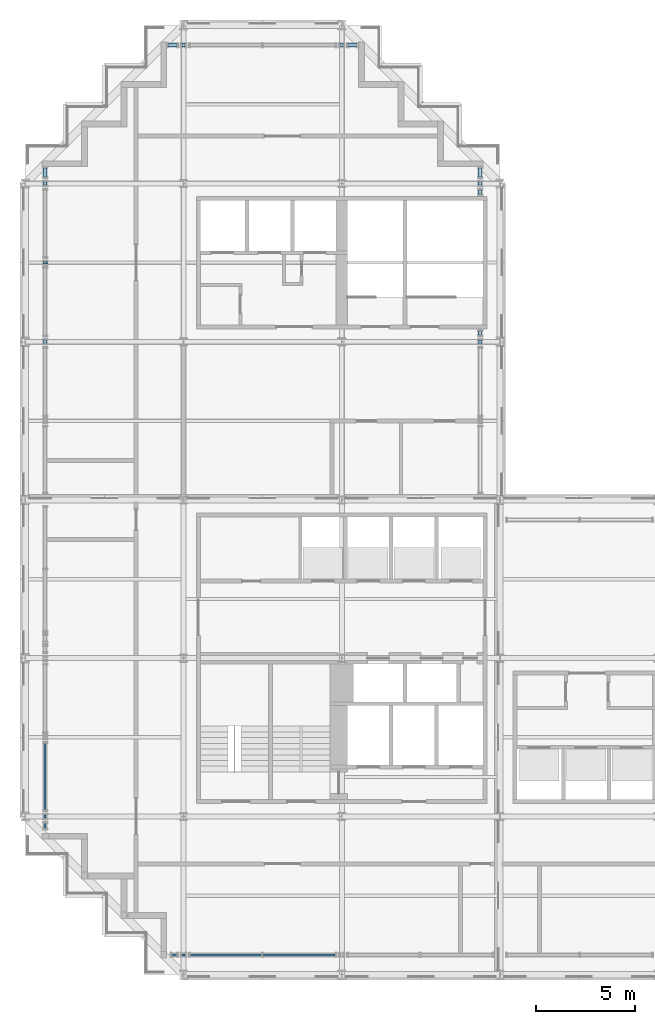
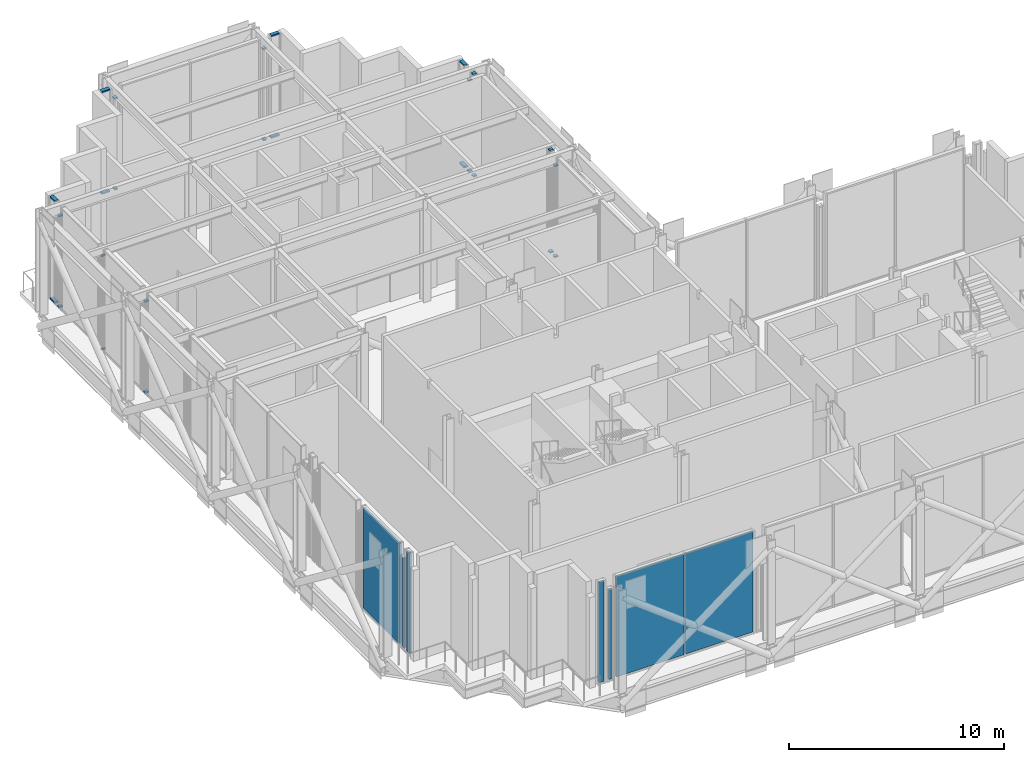
# One storey, part 9 of 23: 26 members, 7 plates, 19 elements without a shape of their own.
"""IFC4 building model written with IfcOpenShell, lengths in metres."""

import ifcopenshell
import ifcopenshell.guid

model = None  # the IFC model being written
_history = None  # IfcOwnerHistory: only IFC2X3 demands one
_inside = {}  # id of a spatial element -> (the spatial element, [elements in it])
_under = {}  # id of a project, library or spatial element -> (it, [spatial elements below it])
_declared = {}  # id of a project -> (the project, [libraries it declares])
_typed = {}  # id of a type object -> (the type object, [elements of that type])
_made_of = {}  # id of a material, layer set ... -> (it, [elements and type objects made of it])


def new_model(schema):
    """Start an empty IFC model of exactly this schema.

    Asked for "IFC4X3", IfcOpenShell would pick the latest addendum, in which some entities
    have other attributes; the version numbers below select the first issue.
    IFC2X3 requires an IfcOwnerHistory on every rooted entity: one is made here for all.
    """
    global model, _history
    if schema == "IFC4X3":
        model = ifcopenshell.file(schema_version=(4, 3, 0, 0))
    else:
        model = ifcopenshell.file(schema=schema)
    _inside.clear()
    _under.clear()
    _declared.clear()
    _typed.clear()
    _made_of.clear()
    _history = None
    if model.schema == "IFC2X3":
        org = make("IfcOrganization", Name="unknown")
        user = make(
            "IfcPersonAndOrganization",
            ThePerson=make("IfcPerson", FamilyName="unknown"),
            TheOrganization=org,
        )
        app = make(
            "IfcApplication",
            ApplicationDeveloper=org,
            Version="unknown",
            ApplicationFullName="unknown",
            ApplicationIdentifier="unknown",
        )
        _history = make(
            "IfcOwnerHistory",
            OwningUser=user,
            OwningApplication=app,
            ChangeAction="ADDED",
            CreationDate=0,
        )
    return model


def make(cls, **values):
    """One entity of the class cls with the attributes given. An attribute that is None is left unset."""
    return model.create_entity(
        cls, **{name: value for name, value in values.items() if value is not None}
    )


def rooted(cls, **values):
    """An entity with a GlobalId (a new one), such as an element, a storey or a relation."""
    return make(cls, GlobalId=ifcopenshell.guid.new(), OwnerHistory=_history, **values)


def si_unit(unit_type, name, prefix=None):
    """IfcSIUnit, for example si_unit("LENGTHUNIT", "METRE", prefix="MILLI")."""
    return make("IfcSIUnit", UnitType=unit_type, Prefix=prefix, Name=name)


def assignment(units):
    """IfcUnitAssignment: the units of a project."""
    return None if units is None else make("IfcUnitAssignment", Units=units)


def point(xyz):
    """IfcCartesianPoint."""
    return None if xyz is None else make("IfcCartesianPoint", Coordinates=xyz)


def direction(xyz):
    """IfcDirection."""
    return None if xyz is None else make("IfcDirection", DirectionRatios=xyz)


def frame(location, z_axis=None, x_axis=None):
    """IfcAxis2Placement3D, a coordinate frame: its origin and axes. An axis left out is left unset."""
    return make(
        "IfcAxis2Placement3D",
        Location=point(location),
        Axis=direction(z_axis),
        RefDirection=direction(x_axis),
    )


def frame_2d(location, x_axis=None):
    """IfcAxis2Placement2D, a coordinate frame in the plane: its origin and x axis."""
    return make(
        "IfcAxis2Placement2D", Location=point(location), RefDirection=direction(x_axis)
    )


def origin():
    """The frame at (0, 0, 0) with its axes left unset."""
    return frame((0.0, 0.0, 0.0))


def origin_2d():
    """The frame at (0, 0) in the plane with its x axis left unset."""
    return frame_2d((0.0, 0.0))


def place(relative_to, where):
    """IfcLocalPlacement: puts the frame where relative to a parent placement (None: the world)."""
    return make(
        "IfcLocalPlacement", PlacementRelTo=relative_to, RelativePlacement=where
    )


def context(
    kind, dimensions, precision=None, world=None, true_north=None, identifier=None
):
    """IfcGeometricRepresentationContext, for example the 3D "Model" context."""
    return make(
        "IfcGeometricRepresentationContext",
        ContextIdentifier=identifier,
        ContextType=kind,
        CoordinateSpaceDimension=dimensions,
        Precision=precision,
        WorldCoordinateSystem=world,
        TrueNorth=true_north,
    )


def subcontext(parent, identifier, kind, view, scale=None):
    """IfcGeometricRepresentationSubContext, for example "Body" below "Model"."""
    return make(
        "IfcGeometricRepresentationSubContext",
        ContextIdentifier=identifier,
        ContextType=kind,
        ParentContext=parent,
        TargetScale=scale,
        TargetView=view,
    )


def project(units=None, contexts=None):
    """IfcProject with its units and contexts."""
    return rooted(
        "IfcProject",
        Name="project",
        RepresentationContexts=contexts,
        UnitsInContext=assignment(units),
    )


def spatial(cls, under=None, at=None, **own):
    """A site, building, storey or space (cls), placed at a placement, below another one or the project."""
    s = rooted(cls, ObjectPlacement=at, **own)
    if under is not None:
        _under.setdefault(under.id(), (under, []))[1].append(s)
    return s


def profile(cls, at=None, kind="AREA", **sizes):
    """A parametric profile (cls). Its sizes go by their IFC names, for example OverallWidth=200.0."""
    return make(cls, ProfileType=kind, Position=at, **sizes)


def rectangle(**sizes):
    """IfcRectangleProfileDef."""
    return profile("IfcRectangleProfileDef", **sizes)


def extrude(swept, where, along, depth):
    """IfcExtrudedAreaSolid: the profile swept, set in the frame where, extruded along a direction by depth."""
    return make(
        "IfcExtrudedAreaSolid",
        SweptArea=swept,
        Position=where,
        ExtrudedDirection=direction(along),
        Depth=depth,
    )


def shape(context_of_items, identifier, shape_type, items):
    """IfcShapeRepresentation: the items that make up one representation, for example the "Body"."""
    return make(
        "IfcShapeRepresentation",
        ContextOfItems=context_of_items,
        RepresentationIdentifier=identifier,
        RepresentationType=shape_type,
        Items=items,
    )


def material(Name=None, Category=None):
    """IfcMaterial."""
    return make("IfcMaterial", Name=Name, Category=Category)


def layer(
    of_material, thickness, ventilated=None, Name=None, Category=None, Priority=None
):
    """IfcMaterialLayer: one layer of a wall or slab, of a material (None: an air gap)."""
    return make(
        "IfcMaterialLayer",
        Material=of_material,
        LayerThickness=thickness,
        IsVentilated=ventilated,
        Name=Name,
        Category=Category,
        Priority=Priority,
    )


def layer_set(layers, Name=None):
    """IfcMaterialLayerSet."""
    return make("IfcMaterialLayerSet", MaterialLayers=layers, LayerSetName=Name)


def material_profile(
    of_material, cross_section, Name=None, Category=None, Priority=None
):
    """IfcMaterialProfile: a cross section and its material."""
    return make(
        "IfcMaterialProfile",
        Name=Name,
        Material=of_material,
        Profile=cross_section,
        Priority=Priority,
        Category=Category,
    )


def profile_set(profiles, Name=None, composite=None):
    """IfcMaterialProfileSet."""
    return make(
        "IfcMaterialProfileSet",
        Name=Name,
        MaterialProfiles=profiles,
        CompositeProfile=composite,
    )


def made_of(thing, what):
    """Note that an element or type object is made of a material, layer set ...; save() writes the relation."""
    if what is not None:
        _made_of.setdefault(what.id(), (what, []))[1].append(thing)
    return thing


def type_object(cls, material=None, **own):
    """A type object (cls), such as IfcWallType, which elements share."""
    return made_of(rooted(cls, **own), material)


def element(
    cls,
    number,
    at=None,
    inside=None,
    cuts=None,
    type_object=None,
    material=None,
    context=None,
    identifier="Body",
    shape_type=None,
    held_by="IfcProductDefinitionShape",
    body=None,
    shapes=None,
    **own,
):
    """One element of the class cls, such as IfcWall. Its Tag is "e" and its number.

    at: its placement. inside: the storey or other place that contains it. cuts: it is an
    opening in that element (IfcRelVoidsElement). A single representation is given by context,
    identifier, shape_type and body (its items); several are given by shapes. held_by: the class
    of the entity that holds the representations. save() writes the other relations.
    """
    e = rooted(cls, Tag="e%d" % number, ObjectPlacement=at, **own)
    if body is not None:
        shapes = [shape(context, identifier, shape_type, body)]
    if shapes is not None:
        e.Representation = make(held_by, Representations=shapes)
    if inside is not None:
        _inside.setdefault(inside.id(), (inside, []))[1].append(e)
    if cuts is not None:
        rooted(
            "IfcRelVoidsElement", RelatingBuildingElement=cuts, RelatedOpeningElement=e
        )
    if type_object is not None:
        _typed.setdefault(type_object.id(), (type_object, []))[1].append(e)
    return made_of(e, material)


def aggregate(whole, parts):
    """IfcRelAggregates: a whole, such as a stair, and the parts it consists of."""
    return rooted("IfcRelAggregates", RelatingObject=whole, RelatedObjects=parts)


def save(model, path):
    """Write the relations noted so far, then the file.

    IfcRelAggregates (storeys below a building ...), IfcRelContainedInSpatialStructure (elements
    in a storey), IfcRelDefinesByType, IfcRelAssociatesMaterial and IfcRelDeclares: one each for
    every whole, place, type object, material and project.
    """
    for whole, parts in _under.values():
        aggregate(whole, parts)
    for where, things in _inside.values():
        rooted(
            "IfcRelContainedInSpatialStructure",
            RelatedElements=things,
            RelatingStructure=where,
        )
    for kind, things in _typed.values():
        rooted("IfcRelDefinesByType", RelatedObjects=things, RelatingType=kind)
    for what, things in _made_of.values():
        rooted("IfcRelAssociatesMaterial", RelatedObjects=things, RelatingMaterial=what)
    for by, libraries in _declared.values():
        rooted("IfcRelDeclares", RelatingContext=by, RelatedDefinitions=libraries)
    model.write(path)


model = new_model("IFC4")

# Units and contexts
model_context = context("Model", 3, precision=1e-05, world=origin(), true_north=direction((0.0, 1.0)))
body_context = subcontext(model_context, "Body", "Model", "MODEL_VIEW")
ifc_project = project(units=[si_unit("LENGTHUNIT", "METRE"), si_unit("AREAUNIT", "SQUARE_METRE"), si_unit("VOLUMEUNIT", "CUBIC_METRE"), si_unit("PLANEANGLEUNIT", "RADIAN"), si_unit("MASSUNIT", "GRAM", prefix="KILO")], contexts=[model_context])

# Site, building, storey
site_placement = place(None, origin())
site = spatial("IfcSite", under=ifc_project, at=site_placement, CompositionType="ELEMENT")
building_placement = place(site_placement, origin())
building = spatial("IfcBuilding", under=site, at=building_placement, Name="Immortelle Media Tower", CompositionType="ELEMENT")
storey_placement = place(building_placement, frame((0.0, 0.0, 183.0)))
storey = spatial("IfcBuildingStorey", under=building, at=storey_placement, Name="L38", CompositionType="ELEMENT", Elevation=183.0)

# Curtain wall, members
ifc_material_1 = material(Name="Aluminium curtain wall system", Category="aluminium")
curtain_wall_type = type_object("IfcCurtainWallType", Name="Plant louvre wall curtain wall", PredefinedType="NOTDEFINED", material=ifc_material_1)
curtain_wall_1_placement = place(storey_placement, origin())
curtain_wall_1 = element("IfcCurtainWall", 1, at=curtain_wall_1_placement, inside=storey, type_object=curtain_wall_type, Name="Plant louvre wall L38 E 22-5", PredefinedType="NOTDEFINED")
ifc_material_2 = material(Name="Aluminium 6063-T6", Category="aluminium")
ifc_material_profile = material_profile(ifc_material_2, rectangle(XDim=0.199951171875, YDim=0.080078125, at=origin_2d()), Name="AL 80x200")
ifc_profile_set = profile_set([ifc_material_profile], Name="Aluminium 6063-T6")
member_type = type_object("IfcMemberType", Name="Plant louvre wall transom 80 x 200", PredefinedType="USERDEFINED", material=ifc_profile_set)
member_1_placement = place(storey_placement, frame((23.0, 31.916015625, 0.0400390625), z_axis=(0.0, 1.0, 0.0), x_axis=(-1.0, 0.0, 0.0)))
member_1 = element("IfcMember", 2, at=member_1_placement, type_object=member_type, Name="CW6 transom 1.1", ObjectType="TRANSOM", PredefinedType="USERDEFINED", context=body_context, shape_type="SweptSolid", body=[
    extrude(rectangle(XDim=0.199951171875, YDim=0.080078125, at=origin_2d()), origin(), (0.0, 0.0, 1.0), 0.16796875),
])
member_2_placement = place(storey_placement, frame((23.0, 31.916015625, 5.20751953125), z_axis=(0.0, 1.0, 0.0), x_axis=(-1.0, 0.0, 0.0)))
member_2 = element("IfcMember", 3, at=member_2_placement, type_object=member_type, Name="CW6 transom 1.2", ObjectType="TRANSOM", PredefinedType="USERDEFINED", context=body_context, shape_type="SweptSolid", body=[
    extrude(rectangle(XDim=0.199951171875, YDim=0.080078125, at=origin_2d()), origin(), (0.0, 0.0, 1.0), 0.16796875),
])
aggregate(curtain_wall_1, [member_1, member_2])

curtain_wall_2_placement = place(storey_placement, origin())
curtain_wall_2 = element("IfcCurtainWall", 4, at=curtain_wall_2_placement, inside=storey, type_object=curtain_wall_type, Name="Plant louvre wall L38 E 22-6", PredefinedType="NOTDEFINED")
member_3_placement = place(storey_placement, frame((23.0, 32.333984375, 0.0400390625), z_axis=(0.0, 1.0, 0.0), x_axis=(-1.0, 0.0, 0.0)))
member_3 = element("IfcMember", 5, at=member_3_placement, type_object=member_type, Name="CW6 transom 1.1", ObjectType="TRANSOM", PredefinedType="USERDEFINED", context=body_context, shape_type="SweptSolid", body=[
    extrude(rectangle(XDim=0.199951171875, YDim=0.080078125, at=origin_2d()), origin(), (0.0, 0.0, 1.0), 0.196533203125),
])
member_4_placement = place(storey_placement, frame((23.0, 32.333984375, 5.8095703125), z_axis=(0.0, 1.0, 0.0), x_axis=(-1.0, 0.0, 0.0)))
member_4 = element("IfcMember", 6, at=member_4_placement, type_object=member_type, Name="CW6 transom 1.2", ObjectType="TRANSOM", PredefinedType="USERDEFINED", context=body_context, shape_type="SweptSolid", body=[
    extrude(rectangle(XDim=0.199951171875, YDim=0.080078125, at=origin_2d()), origin(), (0.0, 0.0, 1.0), 0.196533203125),
])
aggregate(curtain_wall_2, [member_3, member_4])

curtain_wall_3_placement = place(storey_placement, origin())
curtain_wall_3 = element("IfcCurtainWall", 7, at=curtain_wall_3_placement, inside=storey, type_object=curtain_wall_type, Name="Plant louvre wall L38 E 22-7", PredefinedType="NOTDEFINED")
member_5_placement = place(storey_placement, frame((23.0, 39.469482421875, 0.0400390625), z_axis=(0.0, 1.0, 0.0), x_axis=(-1.0, 0.0, 0.0)))
member_5 = element("IfcMember", 8, at=member_5_placement, type_object=member_type, Name="CW6 transom 1.1", ObjectType="TRANSOM", PredefinedType="USERDEFINED", context=body_context, shape_type="SweptSolid", body=[
    extrude(rectangle(XDim=0.199951171875, YDim=0.080078125, at=origin_2d()), origin(), (0.0, 0.0, 1.0), 0.196533203125),
])
member_6_placement = place(storey_placement, frame((23.0, 39.469482421875, 5.8095703125), z_axis=(0.0, 1.0, 0.0), x_axis=(-1.0, 0.0, 0.0)))
member_6 = element("IfcMember", 9, at=member_6_placement, type_object=member_type, Name="CW6 transom 1.2", ObjectType="TRANSOM", PredefinedType="USERDEFINED", context=body_context, shape_type="SweptSolid", body=[
    extrude(rectangle(XDim=0.199951171875, YDim=0.080078125, at=origin_2d()), origin(), (0.0, 0.0, 1.0), 0.196533203125),
])
aggregate(curtain_wall_3, [member_5, member_6])

curtain_wall_4_placement = place(storey_placement, origin())
curtain_wall_4 = element("IfcCurtainWall", 10, at=curtain_wall_4_placement, inside=storey, type_object=curtain_wall_type, Name="Plant louvre wall L38 E 22-8", PredefinedType="NOTDEFINED")
member_7_placement = place(storey_placement, frame((23.0, 39.916015625, 0.0400390625), z_axis=(0.0, 1.0, 0.0), x_axis=(-1.0, 0.0, 0.0)))
member_7 = element("IfcMember", 11, at=member_7_placement, type_object=member_type, Name="CW6 transom 1.1", ObjectType="TRANSOM", PredefinedType="USERDEFINED", context=body_context, shape_type="SweptSolid", body=[
    extrude(rectangle(XDim=0.199951171875, YDim=0.080078125, at=origin_2d()), origin(), (0.0, 0.0, 1.0), 0.16796875),
])
member_8_placement = place(storey_placement, frame((23.0, 39.916015625, 5.20751953125), z_axis=(0.0, 1.0, 0.0), x_axis=(-1.0, 0.0, 0.0)))
member_8 = element("IfcMember", 12, at=member_8_placement, type_object=member_type, Name="CW6 transom 1.2", ObjectType="TRANSOM", PredefinedType="USERDEFINED", context=body_context, shape_type="SweptSolid", body=[
    extrude(rectangle(XDim=0.199951171875, YDim=0.080078125, at=origin_2d()), origin(), (0.0, 0.0, 1.0), 0.16796875),
])
aggregate(curtain_wall_4, [member_7, member_8])

curtain_wall_5_placement = place(storey_placement, origin())
curtain_wall_5 = element("IfcCurtainWall", 13, at=curtain_wall_5_placement, inside=storey, type_object=curtain_wall_type, Name="Plant louvre wall L38 E 22-9", PredefinedType="NOTDEFINED")
member_9_placement = place(storey_placement, frame((23.0, 40.333984375, 0.0400390625), z_axis=(0.0, 1.0, 0.0), x_axis=(-1.0, 0.0, 0.0)))
member_9 = element("IfcMember", 14, at=member_9_placement, type_object=member_type, Name="CW6 transom 1.1", ObjectType="TRANSOM", PredefinedType="USERDEFINED", context=body_context, shape_type="SweptSolid", body=[
    extrude(rectangle(XDim=0.199951171875, YDim=0.080078125, at=origin_2d()), origin(), (0.0, 0.0, 1.0), 0.43603515625),
])
member_10_placement = place(storey_placement, frame((23.0, 40.333984375, 5.8095703125), z_axis=(0.0, 1.0, 0.0), x_axis=(-1.0, 0.0, 0.0)))
member_10 = element("IfcMember", 15, at=member_10_placement, type_object=member_type, Name="CW6 transom 1.2", ObjectType="TRANSOM", PredefinedType="USERDEFINED", context=body_context, shape_type="SweptSolid", body=[
    extrude(rectangle(XDim=0.199951171875, YDim=0.080078125, at=origin_2d()), origin(), (0.0, 0.0, 1.0), 0.43603515625),
])
aggregate(curtain_wall_5, [member_9, member_10])

curtain_wall_6_placement = place(storey_placement, origin())
curtain_wall_6 = element("IfcCurtainWall", 16, at=curtain_wall_6_placement, inside=storey, type_object=curtain_wall_type, Name="Plant louvre wall L38 N 29-1", PredefinedType="NOTDEFINED")
member_11_placement = place(storey_placement, frame((16.77001953125, 47.0, 0.0400390625), z_axis=(-1.0, 0.0, 0.0), x_axis=(0.0, -1.0, 0.0)))
member_11 = element("IfcMember", 17, at=member_11_placement, type_object=member_type, Name="CW6 transom 1.1", ObjectType="TRANSOM", PredefinedType="USERDEFINED", context=body_context, shape_type="SweptSolid", body=[
    extrude(rectangle(XDim=0.199951171875, YDim=0.080078125, at=origin_2d()), origin(), (0.0, 0.0, 1.0), 0.43603515625),
])
member_12_placement = place(storey_placement, frame((16.77001953125, 47.0, 5.8095703125), z_axis=(-1.0, 0.0, 0.0), x_axis=(0.0, -1.0, 0.0)))
member_12 = element("IfcMember", 18, at=member_12_placement, type_object=member_type, Name="CW6 transom 1.2", ObjectType="TRANSOM", PredefinedType="USERDEFINED", context=body_context, shape_type="SweptSolid", body=[
    extrude(rectangle(XDim=0.199951171875, YDim=0.080078125, at=origin_2d()), origin(), (0.0, 0.0, 1.0), 0.43603515625),
])
aggregate(curtain_wall_6, [member_11, member_12])

curtain_wall_7_placement = place(storey_placement, origin())
curtain_wall_7 = element("IfcCurtainWall", 19, at=curtain_wall_7_placement, inside=storey, type_object=curtain_wall_type, Name="Plant louvre wall L38 N 29-2", PredefinedType="NOTDEFINED")
member_13_placement = place(storey_placement, frame((16.083984375, 47.0, 0.0400390625), z_axis=(-1.0, 0.0, 0.0), x_axis=(0.0, -1.0, 0.0)))
member_13 = element("IfcMember", 20, at=member_13_placement, type_object=member_type, Name="CW6 transom 1.1", ObjectType="TRANSOM", PredefinedType="USERDEFINED", context=body_context, shape_type="SweptSolid", body=[
    extrude(rectangle(XDim=0.199951171875, YDim=0.080078125, at=origin_2d()), origin(), (0.0, 0.0, 1.0), 0.16796875),
])
member_14_placement = place(storey_placement, frame((16.083984375, 47.0, 5.20751953125), z_axis=(-1.0, 0.0, 0.0), x_axis=(0.0, -1.0, 0.0)))
member_14 = element("IfcMember", 21, at=member_14_placement, type_object=member_type, Name="CW6 transom 1.2", ObjectType="TRANSOM", PredefinedType="USERDEFINED", context=body_context, shape_type="SweptSolid", body=[
    extrude(rectangle(XDim=0.199951171875, YDim=0.080078125, at=origin_2d()), origin(), (0.0, 0.0, 1.0), 0.16796875),
])
aggregate(curtain_wall_7, [member_13, member_14])

curtain_wall_8_placement = place(storey_placement, origin())
curtain_wall_8 = element("IfcCurtainWall", 22, at=curtain_wall_8_placement, inside=storey, type_object=curtain_wall_type, Name="Plant louvre wall L38 N 29-4", PredefinedType="NOTDEFINED")
member_15_placement = place(storey_placement, frame((8.083984375, 47.0, 0.0400390625), z_axis=(-1.0, 0.0, 0.0), x_axis=(0.0, -1.0, 0.0)))
member_15 = element("IfcMember", 23, at=member_15_placement, type_object=member_type, Name="CW6 transom 1.1", ObjectType="TRANSOM", PredefinedType="USERDEFINED", context=body_context, shape_type="SweptSolid", body=[
    extrude(rectangle(XDim=0.199951171875, YDim=0.080078125, at=origin_2d()), origin(), (0.0, 0.0, 1.0), 0.16796875),
])
member_16_placement = place(storey_placement, frame((8.083984375, 47.0, 5.20751953125), z_axis=(-1.0, 0.0, 0.0), x_axis=(0.0, -1.0, 0.0)))
member_16 = element("IfcMember", 24, at=member_16_placement, type_object=member_type, Name="CW6 transom 1.2", ObjectType="TRANSOM", PredefinedType="USERDEFINED", context=body_context, shape_type="SweptSolid", body=[
    extrude(rectangle(XDim=0.199951171875, YDim=0.080078125, at=origin_2d()), origin(), (0.0, 0.0, 1.0), 0.16796875),
])
aggregate(curtain_wall_8, [member_15, member_16])

curtain_wall_9_placement = place(storey_placement, origin())
curtain_wall_9 = element("IfcCurtainWall", 25, at=curtain_wall_9_placement, inside=storey, type_object=curtain_wall_type, Name="Plant louvre wall L38 N 29-5", PredefinedType="NOTDEFINED")
member_17_placement = place(storey_placement, frame((7.666015625, 47.0, 0.0400390625), z_axis=(-1.0, 0.0, 0.0), x_axis=(0.0, -1.0, 0.0)))
member_17 = element("IfcMember", 26, at=member_17_placement, type_object=member_type, Name="CW6 transom 1.1", ObjectType="TRANSOM", PredefinedType="USERDEFINED", context=body_context, shape_type="SweptSolid", body=[
    extrude(rectangle(XDim=0.199951171875, YDim=0.080078125, at=origin_2d()), origin(), (0.0, 0.0, 1.0), 0.43603515625),
])
member_18_placement = place(storey_placement, frame((7.666015625, 47.0, 5.8095703125), z_axis=(-1.0, 0.0, 0.0), x_axis=(0.0, -1.0, 0.0)))
member_18 = element("IfcMember", 27, at=member_18_placement, type_object=member_type, Name="CW6 transom 1.2", ObjectType="TRANSOM", PredefinedType="USERDEFINED", context=body_context, shape_type="SweptSolid", body=[
    extrude(rectangle(XDim=0.199951171875, YDim=0.080078125, at=origin_2d()), origin(), (0.0, 0.0, 1.0), 0.43603515625),
])
aggregate(curtain_wall_9, [member_17, member_18])

curtain_wall_10_placement = place(storey_placement, origin())
curtain_wall_10 = element("IfcCurtainWall", 28, at=curtain_wall_10_placement, inside=storey, type_object=curtain_wall_type, Name="Plant louvre wall L38 W 36-1", PredefinedType="NOTDEFINED")
member_19_placement = place(storey_placement, frame((1.0, 40.77001953125, 0.0400390625), z_axis=(0.0, -1.0, 0.0), x_axis=(1.0, 0.0, 0.0)))
member_19 = element("IfcMember", 29, at=member_19_placement, type_object=member_type, Name="CW6 transom 1.1", ObjectType="TRANSOM", PredefinedType="USERDEFINED", context=body_context, shape_type="SweptSolid", body=[
    extrude(rectangle(XDim=0.199951171875, YDim=0.080078125, at=origin_2d()), origin(), (0.0, 0.0, 1.0), 0.43603515625),
])
member_20_placement = place(storey_placement, frame((1.0, 40.77001953125, 5.8095703125), z_axis=(0.0, -1.0, 0.0), x_axis=(1.0, 0.0, 0.0)))
member_20 = element("IfcMember", 30, at=member_20_placement, type_object=member_type, Name="CW6 transom 1.2", ObjectType="TRANSOM", PredefinedType="USERDEFINED", context=body_context, shape_type="SweptSolid", body=[
    extrude(rectangle(XDim=0.199951171875, YDim=0.080078125, at=origin_2d()), origin(), (0.0, 0.0, 1.0), 0.43603515625),
])
aggregate(curtain_wall_10, [member_19, member_20])

curtain_wall_11_placement = place(storey_placement, origin())
curtain_wall_11 = element("IfcCurtainWall", 31, at=curtain_wall_11_placement, inside=storey, type_object=curtain_wall_type, Name="Plant louvre wall L38 W 36-2", PredefinedType="NOTDEFINED")
member_21_placement = place(storey_placement, frame((1.0, 40.083984375, 0.0400390625), z_axis=(0.0, -1.0, 0.0), x_axis=(1.0, 0.0, 0.0)))
member_21 = element("IfcMember", 32, at=member_21_placement, type_object=member_type, Name="CW6 transom 1.1", ObjectType="TRANSOM", PredefinedType="USERDEFINED", context=body_context, shape_type="SweptSolid", body=[
    extrude(rectangle(XDim=0.199951171875, YDim=0.080078125, at=origin_2d()), origin(), (0.0, 0.0, 1.0), 0.16796875),
])
member_22_placement = place(storey_placement, frame((1.0, 40.083984375, 5.20751953125), z_axis=(0.0, -1.0, 0.0), x_axis=(1.0, 0.0, 0.0)))
member_22 = element("IfcMember", 33, at=member_22_placement, type_object=member_type, Name="CW6 transom 1.2", ObjectType="TRANSOM", PredefinedType="USERDEFINED", context=body_context, shape_type="SweptSolid", body=[
    extrude(rectangle(XDim=0.199951171875, YDim=0.080078125, at=origin_2d()), origin(), (0.0, 0.0, 1.0), 0.16796875),
])
aggregate(curtain_wall_11, [member_21, member_22])

curtain_wall_12_placement = place(storey_placement, origin())
curtain_wall_12 = element("IfcCurtainWall", 34, at=curtain_wall_12_placement, inside=storey, type_object=curtain_wall_type, Name="Plant louvre wall L38 W 36-4", PredefinedType="NOTDEFINED")
member_23_placement = place(storey_placement, frame((1.0, 36.04638671875, 0.0400390625), z_axis=(0.0, -1.0, 0.0), x_axis=(1.0, 0.0, 0.0)))
member_23 = element("IfcMember", 35, at=member_23_placement, type_object=member_type, Name="CW6 transom 1.1", ObjectType="TRANSOM", PredefinedType="USERDEFINED", context=body_context, shape_type="SweptSolid", body=[
    extrude(rectangle(XDim=0.199951171875, YDim=0.080078125, at=origin_2d()), origin(), (0.0, 0.0, 1.0), 0.0927734375),
])
member_24_placement = place(storey_placement, frame((1.0, 36.04638671875, 5.3544921875), z_axis=(0.0, -1.0, 0.0), x_axis=(1.0, 0.0, 0.0)))
member_24 = element("IfcMember", 36, at=member_24_placement, type_object=member_type, Name="CW6 transom 1.2", ObjectType="TRANSOM", PredefinedType="USERDEFINED", context=body_context, shape_type="SweptSolid", body=[
    extrude(rectangle(XDim=0.199951171875, YDim=0.080078125, at=origin_2d()), origin(), (0.0, 0.0, 1.0), 0.0927734375),
])
aggregate(curtain_wall_12, [member_23, member_24])

curtain_wall_13_placement = place(storey_placement, origin())
curtain_wall_13 = element("IfcCurtainWall", 37, at=curtain_wall_13_placement, inside=storey, type_object=curtain_wall_type, Name="Plant louvre wall L38 W 36-6", PredefinedType="NOTDEFINED")
member_25_placement = place(storey_placement, frame((1.0, 32.083984375, 0.0400390625), z_axis=(0.0, -1.0, 0.0), x_axis=(1.0, 0.0, 0.0)))
member_25 = element("IfcMember", 38, at=member_25_placement, type_object=member_type, Name="CW6 transom 1.1", ObjectType="TRANSOM", PredefinedType="USERDEFINED", context=body_context, shape_type="SweptSolid", body=[
    extrude(rectangle(XDim=0.199951171875, YDim=0.080078125, at=origin_2d()), origin(), (0.0, 0.0, 1.0), 0.16796875),
])
member_26_placement = place(storey_placement, frame((1.0, 32.083984375, 5.20751953125), z_axis=(0.0, -1.0, 0.0), x_axis=(1.0, 0.0, 0.0)))
member_26 = element("IfcMember", 39, at=member_26_placement, type_object=member_type, Name="CW6 transom 1.2", ObjectType="TRANSOM", PredefinedType="USERDEFINED", context=body_context, shape_type="SweptSolid", body=[
    extrude(rectangle(XDim=0.199951171875, YDim=0.080078125, at=origin_2d()), origin(), (0.0, 0.0, 1.0), 0.16796875),
])
aggregate(curtain_wall_13, [member_25, member_26])

# Curtain wall, plate
curtain_wall_14_placement = place(storey_placement, origin())
curtain_wall_14 = element("IfcCurtainWall", 40, at=curtain_wall_14_placement, inside=storey, type_object=curtain_wall_type, Name="Plant louvre wall L38 S 7-2", PredefinedType="NOTDEFINED")
ifc_material_3 = material(Name="Pale aluminium louvre panel", Category="aluminium")
ifc_layer = layer(ifc_material_3, 0.1201171875)
ifc_layer_set = layer_set([ifc_layer], Name="Pale aluminium louvre panel")
plate_type = type_object("IfcPlateType", Name="Dust and storm rated louvre panel 120 mm", PredefinedType="CURTAIN_PANEL", material=ifc_layer_set)
plate_1_placement = place(storey_placement, frame((7.533935546875, 1.0, 0.080078125), z_axis=(0.0, 0.0, 1.0), x_axis=(1.0, 0.0, 0.0)))
plate_1 = element("IfcPlate", 41, at=plate_1_placement, type_object=plate_type, Name="CW6 panel 1.1", PredefinedType="CURTAIN_PANEL", context=body_context, shape_type="SweptSolid", body=[
    extrude(rectangle(XDim=0.26416015625, YDim=0.1201171875, at=origin_2d()), origin(), (0.0, 0.0, 1.0), 5.689453125),
])
aggregate(curtain_wall_14, [plate_1])

curtain_wall_15_placement = place(storey_placement, origin())
curtain_wall_15 = element("IfcCurtainWall", 42, at=curtain_wall_15_placement, inside=storey, type_object=curtain_wall_type, Name="Plant louvre wall L38 S 7-3", PredefinedType="NOTDEFINED")
plate_2_placement = place(storey_placement, frame((8.0, 1.0, 0.080078125), z_axis=(0.0, 0.0, 1.0), x_axis=(1.0, 0.0, 0.0)))
plate_2 = element("IfcPlate", 43, at=plate_2_placement, type_object=plate_type, Name="CW6 panel 1.1", PredefinedType="CURTAIN_PANEL", context=body_context, shape_type="SweptSolid", body=[
    extrude(rectangle(XDim=0.16796875, YDim=0.1201171875, at=origin_2d()), origin(), (0.0, 0.0, 1.0), 5.08740234375),
])
aggregate(curtain_wall_15, [plate_2])

# Curtain wall, plates
curtain_wall_16_placement = place(storey_placement, origin())
curtain_wall_16 = element("IfcCurtainWall", 44, at=curtain_wall_16_placement, inside=storey, type_object=curtain_wall_type, Name="Plant louvre wall L38 S 7-4", PredefinedType="NOTDEFINED")
plate_3_placement = place(storey_placement, frame((10.14697265625, 1.0, 0.080078125), z_axis=(0.0, 0.0, 1.0), x_axis=(1.0, 0.0, 0.0)))
plate_3 = element("IfcPlate", 45, at=plate_3_placement, type_object=plate_type, Name="CW6 panel 1.1", PredefinedType="CURTAIN_PANEL", context=body_context, shape_type="SweptSolid", body=[
    extrude(rectangle(XDim=3.6259765625, YDim=0.1201171875, at=origin_2d()), origin(), (0.0, 0.0, 1.0), 5.689453125),
])
plate_4_placement = place(storey_placement, frame((13.85302734375, 1.0, 0.080078125), z_axis=(0.0, 0.0, 1.0), x_axis=(1.0, 0.0, 0.0)))
plate_4 = element("IfcPlate", 46, at=plate_4_placement, type_object=plate_type, Name="CW6 panel 2.1", PredefinedType="CURTAIN_PANEL", context=body_context, shape_type="SweptSolid", body=[
    extrude(rectangle(XDim=3.6259765625, YDim=0.1201171875, at=origin_2d()), origin(), (0.0, 0.0, 1.0), 5.689453125),
])
aggregate(curtain_wall_16, [plate_3, plate_4])

# Curtain wall, plate
curtain_wall_17_placement = place(storey_placement, origin())
curtain_wall_17 = element("IfcCurtainWall", 47, at=curtain_wall_17_placement, inside=storey, type_object=curtain_wall_type, Name="Plant louvre wall L38 W 36-16", PredefinedType="NOTDEFINED")
plate_5_placement = place(storey_placement, frame((1.0, 10.018798828125, 0.080078125), z_axis=(0.0, 0.0, 1.0), x_axis=(0.0, -1.0, 0.0)))
plate_5 = element("IfcPlate", 48, at=plate_5_placement, type_object=plate_type, Name="CW6 panel 1.1", PredefinedType="CURTAIN_PANEL", context=body_context, shape_type="SweptSolid", body=[
    extrude(rectangle(XDim=3.369384765625, YDim=0.1201171875, at=origin_2d()), origin(), (0.0, 0.0, 1.0), 5.689453125),
])
aggregate(curtain_wall_17, [plate_5])

curtain_wall_18_placement = place(storey_placement, origin())
curtain_wall_18 = element("IfcCurtainWall", 49, at=curtain_wall_18_placement, inside=storey, type_object=curtain_wall_type, Name="Plant louvre wall L38 W 36-17", PredefinedType="NOTDEFINED")
plate_6_placement = place(storey_placement, frame((1.0, 8.0, 0.080078125), z_axis=(0.0, 0.0, 1.0), x_axis=(0.0, -1.0, 0.0)))
plate_6 = element("IfcPlate", 50, at=plate_6_placement, type_object=plate_type, Name="CW6 panel 1.1", PredefinedType="CURTAIN_PANEL", context=body_context, shape_type="SweptSolid", body=[
    extrude(rectangle(XDim=0.16796875, YDim=0.1201171875, at=origin_2d()), origin(), (0.0, 0.0, 1.0), 5.08740234375),
])
aggregate(curtain_wall_18, [plate_6])

curtain_wall_19_placement = place(storey_placement, origin())
curtain_wall_19 = element("IfcCurtainWall", 51, at=curtain_wall_19_placement, inside=storey, type_object=curtain_wall_type, Name="Plant louvre wall L38 W 36-18", PredefinedType="NOTDEFINED")
plate_7_placement = place(storey_placement, frame((1.0, 7.533935546875, 0.080078125), z_axis=(0.0, 0.0, 1.0), x_axis=(0.0, -1.0, 0.0)))
plate_7 = element("IfcPlate", 52, at=plate_7_placement, type_object=plate_type, Name="CW6 panel 1.1", PredefinedType="CURTAIN_PANEL", context=body_context, shape_type="SweptSolid", body=[
    extrude(rectangle(XDim=0.26416015625, YDim=0.1201171875, at=origin_2d()), origin(), (0.0, 0.0, 1.0), 5.689453125),
])
aggregate(curtain_wall_19, [plate_7])

save(model, "model.ifc")
